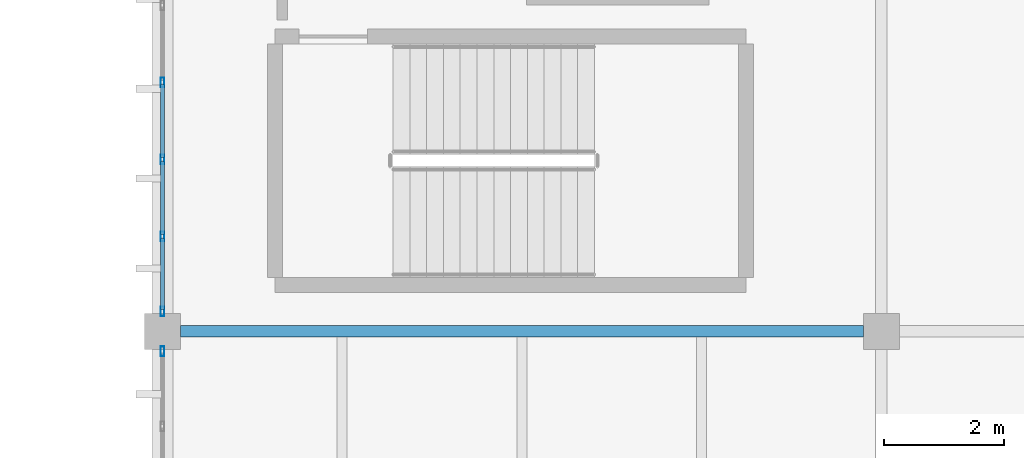
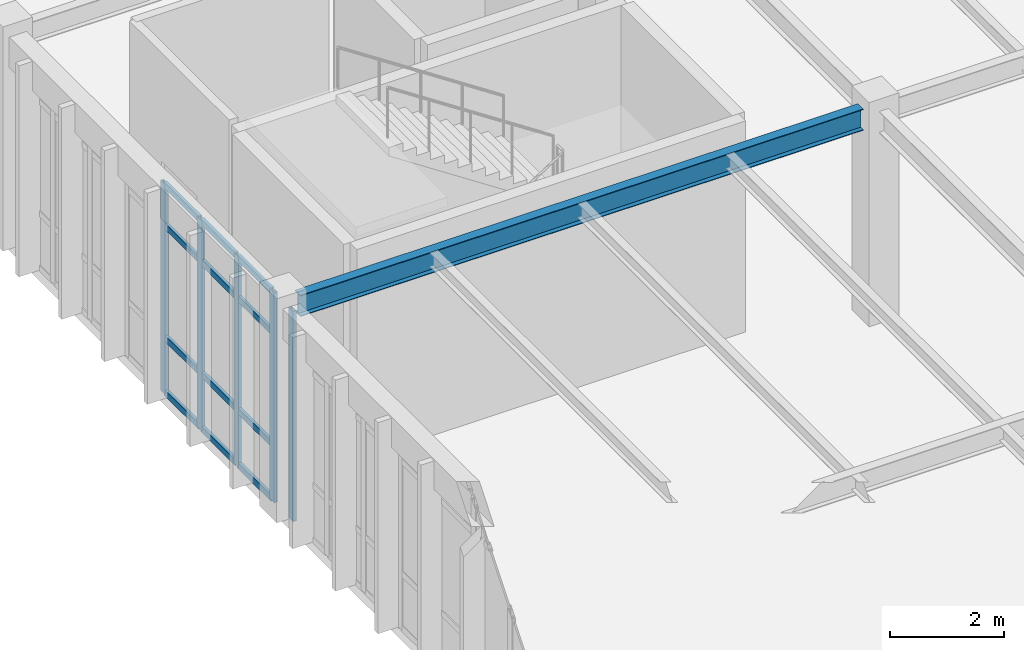
# One storey, part 143 of 236: 17 members, 1 beam, 2 elements without a shape of their own.
"""IFC4 building model written with IfcOpenShell, lengths in metres."""

from ifc_helpers import new_model, si_unit, direction, frame, origin, origin_2d, place, context, subcontext, project, spatial, hollow_rectangle, i_section, extrude, material, layer, layer_set, material_profile, profile_set, type_object, element, aggregate, save


model = new_model("IFC4")

# Units and contexts
model_context = context("Model", 3, precision=1e-05, world=origin(), true_north=direction((0.0, 1.0)))
body_context = subcontext(model_context, "Body", "Model", "MODEL_VIEW")
ifc_project = project(units=[si_unit("LENGTHUNIT", "METRE"), si_unit("AREAUNIT", "SQUARE_METRE"), si_unit("VOLUMEUNIT", "CUBIC_METRE"), si_unit("PLANEANGLEUNIT", "RADIAN"), si_unit("MASSUNIT", "GRAM", prefix="KILO")], contexts=[model_context])

# Site, building, storey
site_placement = place(None, origin())
site = spatial("IfcSite", under=ifc_project, at=site_placement, CompositionType="ELEMENT")
building_placement = place(site_placement, origin())
building = spatial("IfcBuilding", under=site, at=building_placement, Name="Pandanus Reach Market Hall", CompositionType="ELEMENT")
storey_placement = place(building_placement, frame((0.0, 0.0, 5.39990234375)))
storey = spatial("IfcBuildingStorey", under=building, at=storey_placement, Name="L01", CompositionType="ELEMENT", Elevation=5.39990234375)

# Beam
ifc_material_1 = material(Name="Steel Grade 350 (350 MPa)", Category="steel")
ifc_material_profile_1 = material_profile(ifc_material_1, i_section(OverallWidth=0.18994140625, OverallDepth=0.45703125, WebThickness=0.009033203125, FlangeThickness=0.014404296875, at=origin_2d()), Name="460UB74.6", Category="LoadBearing")
ifc_profile_set_1 = profile_set([ifc_material_profile_1], Name="Steel Grade 350 (350 MPa)")
beam_type = type_object("IfcBeamType", Name="BM-UB460-I", PredefinedType="BEAM", material=ifc_profile_set_1)
beam_placement = place(storey_placement, frame((144.298095703125, 48.0, 4.311279296875), z_axis=(1.0, 0.0, 0.0), x_axis=(0.0, 1.0, 0.0)))
element("IfcBeam", 1, at=beam_placement, inside=storey, type_object=beam_type, Name="Framing beam BM-UB460-I L01.318", PredefinedType="BEAM", context=body_context, shape_type="SweptSolid", body=[
    extrude(i_section(OverallWidth=0.18994140625, OverallDepth=0.45703125, WebThickness=0.009033203125, FlangeThickness=0.014404296875, at=origin_2d()), origin(), (0.0, 0.0, 1.0), 11.40380859375),
])

# Curtain wall, member
ifc_material_2 = material(Name="Bronze anodised aluminium and low-E glass", Category="aluminium")
ifc_layer = layer(ifc_material_2, 0.159912109375, Name="CW-29")
ifc_layer_set = layer_set([ifc_layer], Name="Bronze anodised aluminium and low-E glass")
curtain_wall_type = type_object("IfcCurtainWallType", Name="CW-29", PredefinedType="NOTDEFINED", material=ifc_layer_set)
curtain_wall_1_placement = place(storey_placement, origin())
curtain_wall_1 = element("IfcCurtainWall", 2, at=curtain_wall_1_placement, inside=storey, type_object=curtain_wall_type, Name="Glazed curtain wall CW-29 CW-0094", PredefinedType="NOTDEFINED")
ifc_material_3 = material(Name="Bronze anodised aluminium", Category="aluminium")
ifc_material_profile_2 = material_profile(ifc_material_3, hollow_rectangle(XDim=0.06494140625, YDim=0.159912109375, WallThickness=0.00390625, at=origin_2d()), Name="ALU65x160", Category="LoadBearing")
ifc_profile_set_2 = profile_set([ifc_material_profile_2], Name="Bronze anodised aluminium")
member_type_1 = type_object("IfcMemberType", Name="CW-M1", PredefinedType="MULLION", material=ifc_profile_set_2)
member_1_placement = place(storey_placement, frame((144.0, 47.66748046875, 0.0), z_axis=(0.0, 0.0, 1.0), x_axis=(-1.0, 0.0, 0.0)))
member_1 = element("IfcMember", 3, at=member_1_placement, type_object=member_type_1, Name="CW-29 mullion 8", PredefinedType="MULLION", context=body_context, shape_type="SweptSolid", body=[
    extrude(hollow_rectangle(XDim=0.06494140625, YDim=0.159912109375, WallThickness=0.00390625, at=origin_2d()), origin(), (0.0, 0.0, 1.0), 4.5),
])
aggregate(curtain_wall_1, [member_1])

# Curtain wall, members
curtain_wall_2_placement = place(storey_placement, origin())
curtain_wall_2 = element("IfcCurtainWall", 4, at=curtain_wall_2_placement, inside=storey, type_object=curtain_wall_type, Name="Glazed curtain wall CW-29 CW-0095", PredefinedType="NOTDEFINED")
member_2_placement = place(storey_placement, frame((144.0, 48.33251953125, 0.0), z_axis=(0.0, 0.0, 1.0), x_axis=(-1.0, 0.0, 0.0)))
member_2 = element("IfcMember", 5, at=member_2_placement, type_object=member_type_1, Name="CW-29 mullion 1", PredefinedType="MULLION", context=body_context, shape_type="SweptSolid", body=[
    extrude(hollow_rectangle(XDim=0.06494140625, YDim=0.159912109375, WallThickness=0.00390625, at=origin_2d()), origin(), (0.0, 0.0, 1.0), 4.5),
])
member_3_placement = place(storey_placement, frame((144.0, 49.585693359375, 0.0), z_axis=(0.0, 0.0, 1.0), x_axis=(-1.0, 0.0, 0.0)))
member_3 = element("IfcMember", 6, at=member_3_placement, type_object=member_type_1, Name="CW-29 mullion 2", PredefinedType="MULLION", context=body_context, shape_type="SweptSolid", body=[
    extrude(hollow_rectangle(XDim=0.06494140625, YDim=0.159912109375, WallThickness=0.00390625, at=origin_2d()), origin(), (0.0, 0.0, 1.0), 4.5),
])
member_4_placement = place(storey_placement, frame((144.0, 50.871337890625, 0.0), z_axis=(0.0, 0.0, 1.0), x_axis=(-1.0, 0.0, 0.0)))
member_4 = element("IfcMember", 7, at=member_4_placement, type_object=member_type_1, Name="CW-29 mullion 3", PredefinedType="MULLION", context=body_context, shape_type="SweptSolid", body=[
    extrude(hollow_rectangle(XDim=0.06494140625, YDim=0.159912109375, WallThickness=0.00390625, at=origin_2d()), origin(), (0.0, 0.0, 1.0), 4.5),
])
member_5_placement = place(storey_placement, frame((144.0, 52.1572265625, 0.0), z_axis=(0.0, 0.0, 1.0), x_axis=(-1.0, 0.0, 0.0)))
member_5 = element("IfcMember", 8, at=member_5_placement, type_object=member_type_1, Name="CW-29 mullion 4", PredefinedType="MULLION", context=body_context, shape_type="SweptSolid", body=[
    extrude(hollow_rectangle(XDim=0.06494140625, YDim=0.159912109375, WallThickness=0.00390625, at=origin_2d()), origin(), (0.0, 0.0, 1.0), 4.5),
])
ifc_material_profile_3 = material_profile(ifc_material_3, hollow_rectangle(XDim=0.06494140625, YDim=0.1298828125, WallThickness=0.00390625, at=origin_2d()), Name="ALU65x130", Category="LoadBearing")
ifc_profile_set_3 = profile_set([ifc_material_profile_3], Name="Bronze anodised aluminium")
member_type_2 = type_object("IfcMemberType", Name="CW-T1", PredefinedType="USERDEFINED", material=ifc_profile_set_3)
member_6_placement = place(storey_placement, frame((144.0, 48.364990234375, 0.03271484375), z_axis=(0.0, 1.0, 0.0), x_axis=(-1.0, 0.0, 0.0)))
member_6 = element("IfcMember", 9, at=member_6_placement, type_object=member_type_2, Name="CW-29 transom 1.1", ObjectType="TRANSOM", PredefinedType="USERDEFINED", context=body_context, shape_type="SweptSolid", body=[
    extrude(hollow_rectangle(XDim=0.06494140625, YDim=0.1298828125, WallThickness=0.00390625, at=origin_2d()), origin(), (0.0, 0.0, 1.0), 1.188232421875),
])
member_7_placement = place(storey_placement, frame((144.0, 48.364990234375, 1.2001953125), z_axis=(0.0, 1.0, 0.0), x_axis=(-1.0, 0.0, 0.0)))
member_7 = element("IfcMember", 10, at=member_7_placement, type_object=member_type_2, Name="CW-29 transom 1.2", ObjectType="TRANSOM", PredefinedType="USERDEFINED", context=body_context, shape_type="SweptSolid", body=[
    extrude(hollow_rectangle(XDim=0.06494140625, YDim=0.1298828125, WallThickness=0.00390625, at=origin_2d()), origin(), (0.0, 0.0, 1.0), 1.188232421875),
])
member_8_placement = place(storey_placement, frame((144.0, 48.364990234375, 3.60009765625), z_axis=(0.0, 1.0, 0.0), x_axis=(-1.0, 0.0, 0.0)))
member_8 = element("IfcMember", 11, at=member_8_placement, type_object=member_type_2, Name="CW-29 transom 1.3", ObjectType="TRANSOM", PredefinedType="USERDEFINED", context=body_context, shape_type="SweptSolid", body=[
    extrude(hollow_rectangle(XDim=0.06494140625, YDim=0.1298828125, WallThickness=0.00390625, at=origin_2d()), origin(), (0.0, 0.0, 1.0), 1.188232421875),
])
member_9_placement = place(storey_placement, frame((144.0, 48.364990234375, 4.467529296875), z_axis=(0.0, 1.0, 0.0), x_axis=(-1.0, 0.0, 0.0)))
member_9 = element("IfcMember", 12, at=member_9_placement, type_object=member_type_2, Name="CW-29 transom 1.4", ObjectType="TRANSOM", PredefinedType="USERDEFINED", context=body_context, shape_type="SweptSolid", body=[
    extrude(hollow_rectangle(XDim=0.06494140625, YDim=0.1298828125, WallThickness=0.00390625, at=origin_2d()), origin(), (0.0, 0.0, 1.0), 1.188232421875),
])
member_10_placement = place(storey_placement, frame((144.0, 49.6181640625, 0.03271484375), z_axis=(0.0, 1.0, 0.0), x_axis=(-1.0, 0.0, 0.0)))
member_10 = element("IfcMember", 13, at=member_10_placement, type_object=member_type_2, Name="CW-29 transom 2.1", ObjectType="TRANSOM", PredefinedType="USERDEFINED", context=body_context, shape_type="SweptSolid", body=[
    extrude(hollow_rectangle(XDim=0.06494140625, YDim=0.1298828125, WallThickness=0.00390625, at=origin_2d()), origin(), (0.0, 0.0, 1.0), 1.220703125),
])
member_11_placement = place(storey_placement, frame((144.0, 49.6181640625, 1.2001953125), z_axis=(0.0, 1.0, 0.0), x_axis=(-1.0, 0.0, 0.0)))
member_11 = element("IfcMember", 14, at=member_11_placement, type_object=member_type_2, Name="CW-29 transom 2.2", ObjectType="TRANSOM", PredefinedType="USERDEFINED", context=body_context, shape_type="SweptSolid", body=[
    extrude(hollow_rectangle(XDim=0.06494140625, YDim=0.1298828125, WallThickness=0.00390625, at=origin_2d()), origin(), (0.0, 0.0, 1.0), 1.220703125),
])
member_12_placement = place(storey_placement, frame((144.0, 49.6181640625, 3.60009765625), z_axis=(0.0, 1.0, 0.0), x_axis=(-1.0, 0.0, 0.0)))
member_12 = element("IfcMember", 15, at=member_12_placement, type_object=member_type_2, Name="CW-29 transom 2.3", ObjectType="TRANSOM", PredefinedType="USERDEFINED", context=body_context, shape_type="SweptSolid", body=[
    extrude(hollow_rectangle(XDim=0.06494140625, YDim=0.1298828125, WallThickness=0.00390625, at=origin_2d()), origin(), (0.0, 0.0, 1.0), 1.220703125),
])
member_13_placement = place(storey_placement, frame((144.0, 49.6181640625, 4.467529296875), z_axis=(0.0, 1.0, 0.0), x_axis=(-1.0, 0.0, 0.0)))
member_13 = element("IfcMember", 16, at=member_13_placement, type_object=member_type_2, Name="CW-29 transom 2.4", ObjectType="TRANSOM", PredefinedType="USERDEFINED", context=body_context, shape_type="SweptSolid", body=[
    extrude(hollow_rectangle(XDim=0.06494140625, YDim=0.1298828125, WallThickness=0.00390625, at=origin_2d()), origin(), (0.0, 0.0, 1.0), 1.220703125),
])
member_14_placement = place(storey_placement, frame((144.0, 50.90380859375, 0.03271484375), z_axis=(0.0, 1.0, 0.0), x_axis=(-1.0, 0.0, 0.0)))
member_14 = element("IfcMember", 17, at=member_14_placement, type_object=member_type_2, Name="CW-29 transom 3.1", ObjectType="TRANSOM", PredefinedType="USERDEFINED", context=body_context, shape_type="SweptSolid", body=[
    extrude(hollow_rectangle(XDim=0.06494140625, YDim=0.1298828125, WallThickness=0.00390625, at=origin_2d()), origin(), (0.0, 0.0, 1.0), 1.220947265625),
])
member_15_placement = place(storey_placement, frame((144.0, 50.90380859375, 1.2001953125), z_axis=(0.0, 1.0, 0.0), x_axis=(-1.0, 0.0, 0.0)))
member_15 = element("IfcMember", 18, at=member_15_placement, type_object=member_type_2, Name="CW-29 transom 3.2", ObjectType="TRANSOM", PredefinedType="USERDEFINED", context=body_context, shape_type="SweptSolid", body=[
    extrude(hollow_rectangle(XDim=0.06494140625, YDim=0.1298828125, WallThickness=0.00390625, at=origin_2d()), origin(), (0.0, 0.0, 1.0), 1.220947265625),
])
member_16_placement = place(storey_placement, frame((144.0, 50.90380859375, 3.60009765625), z_axis=(0.0, 1.0, 0.0), x_axis=(-1.0, 0.0, 0.0)))
member_16 = element("IfcMember", 19, at=member_16_placement, type_object=member_type_2, Name="CW-29 transom 3.3", ObjectType="TRANSOM", PredefinedType="USERDEFINED", context=body_context, shape_type="SweptSolid", body=[
    extrude(hollow_rectangle(XDim=0.06494140625, YDim=0.1298828125, WallThickness=0.00390625, at=origin_2d()), origin(), (0.0, 0.0, 1.0), 1.220947265625),
])
member_17_placement = place(storey_placement, frame((144.0, 50.90380859375, 4.467529296875), z_axis=(0.0, 1.0, 0.0), x_axis=(-1.0, 0.0, 0.0)))
member_17 = element("IfcMember", 20, at=member_17_placement, type_object=member_type_2, Name="CW-29 transom 3.4", ObjectType="TRANSOM", PredefinedType="USERDEFINED", context=body_context, shape_type="SweptSolid", body=[
    extrude(hollow_rectangle(XDim=0.06494140625, YDim=0.1298828125, WallThickness=0.00390625, at=origin_2d()), origin(), (0.0, 0.0, 1.0), 1.220947265625),
])
aggregate(curtain_wall_2, [member_2, member_3, member_4, member_5, member_6, member_7, member_8, member_9, member_10, member_11, member_12, member_13, member_14, member_15, member_16, member_17])

save(model, "model.ifc")
